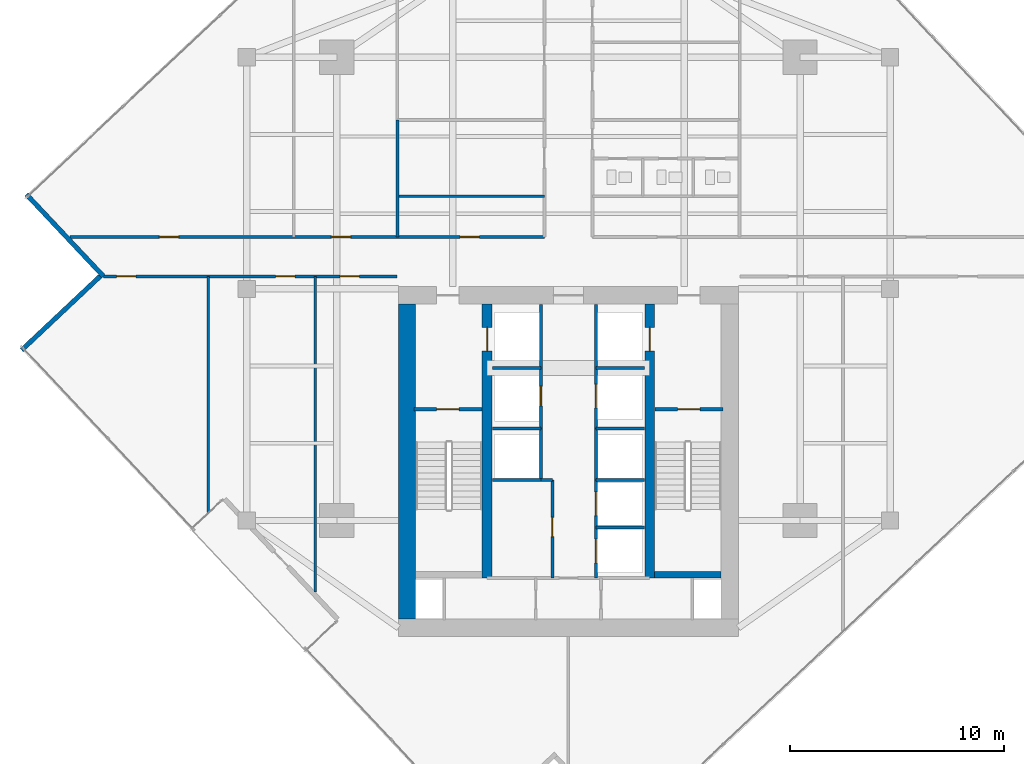
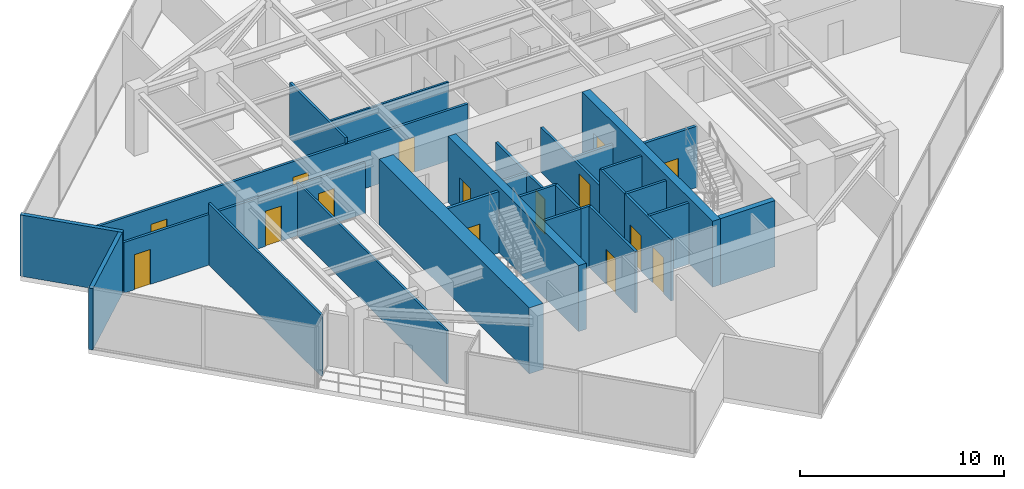
# One storey, part 21 of 25: 28 walls, 15 doors, 15 openings.
"""IFC4 building model written with IfcOpenShell, lengths in metres."""

from ifc_helpers import new_model, si_unit, direction, frame, frame_2d, origin, place, context, subcontext, project, spatial, rectangle, extrude, material, layer, layer_set, type_object, element, fill, save


model = new_model("IFC4")

# Units and contexts
model_context = context("Model", 3, precision=1e-05, world=origin(), true_north=direction((0.0, 1.0)))
body_context = subcontext(model_context, "Body", "Model", "MODEL_VIEW")
ifc_project = project(units=[si_unit("LENGTHUNIT", "METRE"), si_unit("AREAUNIT", "SQUARE_METRE"), si_unit("VOLUMEUNIT", "CUBIC_METRE"), si_unit("PLANEANGLEUNIT", "RADIAN"), si_unit("MASSUNIT", "GRAM", prefix="KILO")], contexts=[model_context])

# Site, building, storey
site_placement = place(None, origin())
site = spatial("IfcSite", under=ifc_project, at=site_placement, CompositionType="ELEMENT")
building_placement = place(site_placement, origin())
building = spatial("IfcBuilding", under=site, at=building_placement, Name="Krantzveldt Concourse Tower", CompositionType="ELEMENT")
storey_placement = place(building_placement, frame((0.0, 0.0, 238.89990234375)))
storey = spatial("IfcBuildingStorey", under=building, at=storey_placement, Name="L58", CompositionType="ELEMENT", Elevation=238.89990234375)

# Walls
ifc_material_1 = material(Name="Anodised aluminium 6063-T6", Category="aluminium")
ifc_layer_1 = layer(ifc_material_1, 0.219970703125, Name="Anodised aluminium 6063-T6", Category="aluminium")
ifc_layer_set_1 = layer_set([ifc_layer_1], Name="Anodised aluminium 6063-T6 (WL-EXT-NOTCH220)")
wall_type_1 = type_object("IfcWallType", Name="WL-EXT-NOTCH220", PredefinedType="ELEMENTEDWALL", material=ifc_layer_set_1)
wall_1_placement = place(storey_placement, frame((10.72705078125, 31.104736328125, 0.0), z_axis=(0.0, 0.0, 1.0), x_axis=(0.685178828418, -0.728374884992, 0.0)))
element("IfcWall", 1, at=wall_1_placement, inside=storey, type_object=wall_type_1, Name="EW-L58-NCH02", PredefinedType="ELEMENTEDWALL", context=body_context, shape_type="SweptSolid", body=[
    extrude(rectangle(XDim=5.244873046875, YDim=0.219970703125, at=frame_2d((2.62255859375, 0.0))), origin(), (0.0, 0.0, 1.0), 3.670166015625),
])
wall_2_placement = place(storey_placement, frame((14.165283203125, 27.289306640625, 0.0), z_axis=(0.0, 0.0, 1.0), x_axis=(-0.728372554527, -0.685181305796, 0.0)))
element("IfcWall", 2, at=wall_2_placement, inside=storey, type_object=wall_type_1, Name="EW-L58-NCH03", PredefinedType="ELEMENTEDWALL", context=body_context, shape_type="SweptSolid", body=[
    extrude(rectangle(XDim=5.025146484375, YDim=0.219970703125, at=frame_2d((2.5126953125, 0.0))), origin(), (0.0, 0.0, 1.0), 3.670166015625),
])
ifc_material_2 = material(Name="Fire-rated gypsum plasterboard on steel stud", Category="steel")
ifc_layer_2 = layer(ifc_material_2, 0.1201171875, Name="Fire-rated gypsum plasterboard on steel stud", Category="steel")
ifc_layer_set_2 = layer_set([ifc_layer_2], Name="Fire-rated gypsum plasterboard on steel stud (WL-PART-120)")
wall_type_2 = type_object("IfcWallType", Name="WL-PART-120", PredefinedType="PARTITIONING", material=ifc_layer_set_2)
wall_3_placement = place(storey_placement, frame((28.02001953125, 31.02001953125, 0.0), z_axis=(0.0, 0.0, 1.0), x_axis=(1.0, 0.0, 0.0)))
element("IfcWall", 3, at=wall_3_placement, inside=storey, type_object=wall_type_2, Name="WP-L58-ISML", PredefinedType="PARTITIONING", context=body_context, shape_type="SweptSolid", body=[
    extrude(rectangle(XDim=6.85986328125, YDim=0.1201171875, at=frame_2d((3.429931640625, 0.0))), origin(), (0.0, 0.0, 1.0), 3.18017578125),
])
wall_4_placement = place(storey_placement, frame((19.199951171875, 16.23681640625, 0.0), z_axis=(0.0, 0.0, 1.0), x_axis=(0.0, 1.0, 0.0)))
element("IfcWall", 4, at=wall_4_placement, inside=storey, type_object=wall_type_2, Name="WP-L58-SWX1", PredefinedType="PARTITIONING", context=body_context, shape_type="SweptSolid", body=[
    extrude(rectangle(XDim=11.043212890625, YDim=0.1201171875, at=frame_2d((5.521484375, 0.0))), origin(), (0.0, 0.0, 1.0), 3.670166015625),
])
wall_5_placement = place(storey_placement, frame((24.199951171875, 12.572021484375, 0.0), z_axis=(0.0, 0.0, 1.0), x_axis=(0.0, 1.0, 0.0)))
element("IfcWall", 5, at=wall_5_placement, inside=storey, type_object=wall_type_2, Name="WP-L58-SWX2", PredefinedType="PARTITIONING", context=body_context, shape_type="SweptSolid", body=[
    extrude(rectangle(XDim=14.7080078125, YDim=0.1201171875, at=frame_2d((7.35400390625, 0.0))), origin(), (0.0, 0.0, 1.0), 3.18017578125),
])

# Wall, openings, doors
ifc_layer_3 = layer(ifc_material_2, 0.139892578125, Name="Fire-rated gypsum plasterboard on steel stud", Category="steel")
ifc_layer_set_3 = layer_set([ifc_layer_3], Name="Fire-rated gypsum plasterboard on steel stud (WL-PART-140)")
wall_type_3 = type_object("IfcWallType", Name="WL-PART-140", PredefinedType="PARTITIONING", material=ifc_layer_set_3)
wall_6_placement = place(storey_placement, frame((12.751953125, 29.1201171875, 0.0), z_axis=(0.0, 0.0, 1.0), x_axis=(1.0, 0.0, 0.0)))
wall_6 = element("IfcWall", 6, at=wall_6_placement, inside=storey, type_object=wall_type_3, Name="WP-L58-EWNL", PredefinedType="PARTITIONING", context=body_context, shape_type="SweptSolid", body=[
    extrude(rectangle(XDim=22.1279296875, YDim=0.139892578125, at=frame_2d((11.06396484375, 0.0))), origin(), (0.0, 0.0, 1.0), 3.030029296875),
])
opening_1_placement = place(wall_6_placement, frame((18.197998046875, 0.0, 0.0)))
opening_1 = element("IfcOpeningElement", 7, at=opening_1_placement, cuts=wall_6, Name="Opening D-IN090", PredefinedType="OPENING", context=body_context, shape_type="SweptSolid", body=[
    extrude(rectangle(XDim=0.89990234375, YDim=2.10009765625, at=frame_2d((0.449951171875, 1.050048828125))), frame((0.0, 0.080078125, 0.0), z_axis=(0.0, -1.0, 0.0), x_axis=(1.0, 0.0, 0.0)), (0.0, 0.0, 1.0), 0.159912109375),
])
opening_2_placement = place(wall_6_placement, frame((4.177978515625, 0.0, 0.0)))
opening_2 = element("IfcOpeningElement", 8, at=opening_2_placement, cuts=wall_6, Name="Opening D-IN090", PredefinedType="OPENING", context=body_context, shape_type="SweptSolid", body=[
    extrude(rectangle(XDim=0.89990234375, YDim=2.10009765625, at=frame_2d((0.449951171875, 1.050048828125))), frame((0.0, 0.080078125, 0.0), z_axis=(0.0, -1.0, 0.0), x_axis=(1.0, 0.0, 0.0)), (0.0, 0.0, 1.0), 0.159912109375),
])
opening_3_placement = place(wall_6_placement, frame((12.197998046875, 0.0, 0.0)))
opening_3 = element("IfcOpeningElement", 9, at=opening_3_placement, cuts=wall_6, Name="Opening D-IN090", PredefinedType="OPENING", context=body_context, shape_type="SweptSolid", body=[
    extrude(rectangle(XDim=0.89990234375, YDim=2.10009765625, at=frame_2d((0.449951171875, 1.050048828125))), frame((0.0, 0.080078125, 0.0), z_axis=(0.0, -1.0, 0.0), x_axis=(1.0, 0.0, 0.0)), (0.0, 0.0, 1.0), 0.159912109375),
])
ifc_material_3 = material(Name="Hardwood timber", Category="wood")
door_type_1 = type_object("IfcDoorType", Name="DR-INT-900", OperationType="SINGLE_SWING_LEFT", PredefinedType="DOOR", material=ifc_material_3)
door_1_placement = place(opening_1_placement, origin())
door_1 = element("IfcDoor", 10, at=door_1_placement, inside=storey, type_object=door_type_1, Name="DR-L58-ALCL", OperationType="SINGLE_SWING_LEFT", OverallHeight=2.10009765625, OverallWidth=0.89990234375, PredefinedType="DOOR", context=body_context, shape_type="SweptSolid", body=[
    extrude(rectangle(XDim=0.89990234375, YDim=2.10009765625, at=frame_2d((0.449951171875, 1.050048828125))), frame((0.0, 0.02490234375, 0.0), z_axis=(0.0, -1.0, 0.0), x_axis=(1.0, 0.0, 0.0)), (0.0, 0.0, 1.0), 0.050048828125),
])
fill(opening_1, door_1)
door_2_placement = place(opening_2_placement, origin())
door_2 = element("IfcDoor", 11, at=door_2_placement, inside=storey, type_object=door_type_1, Name="DR-L58-NWX1", OperationType="SINGLE_SWING_LEFT", OverallHeight=2.10009765625, OverallWidth=0.89990234375, PredefinedType="DOOR", context=body_context, shape_type="SweptSolid", body=[
    extrude(rectangle(XDim=0.89990234375, YDim=2.10009765625, at=frame_2d((0.449951171875, 1.050048828125))), frame((0.0, 0.02490234375, 0.0), z_axis=(0.0, -1.0, 0.0), x_axis=(1.0, 0.0, 0.0)), (0.0, 0.0, 1.0), 0.050048828125),
])
fill(opening_2, door_2)
door_3_placement = place(opening_3_placement, origin())
door_3 = element("IfcDoor", 12, at=door_3_placement, inside=storey, type_object=door_type_1, Name="DR-L58-NWX2", OperationType="SINGLE_SWING_LEFT", OverallHeight=2.10009765625, OverallWidth=0.89990234375, PredefinedType="DOOR", context=body_context, shape_type="SweptSolid", body=[
    extrude(rectangle(XDim=0.89990234375, YDim=2.10009765625, at=frame_2d((0.449951171875, 1.050048828125))), frame((0.0, 0.02490234375, 0.0), z_axis=(0.0, -1.0, 0.0), x_axis=(1.0, 0.0, 0.0)), (0.0, 0.0, 1.0), 0.050048828125),
])
fill(opening_3, door_3)

wall_7_placement = place(storey_placement, frame((14.31591796875, 27.280029296875, 0.0), z_axis=(0.0, 0.0, 1.0), x_axis=(1.0, 0.0, 0.0)))
wall_7 = element("IfcWall", 13, at=wall_7_placement, inside=storey, type_object=wall_type_3, Name="WP-L58-EWSL", PredefinedType="PARTITIONING", context=body_context, shape_type="SweptSolid", body=[
    extrude(rectangle(XDim=13.68408203125, YDim=0.139892578125, at=frame_2d((6.842041015625, 0.0))), origin(), (0.0, 0.0, 1.0), 3.030029296875),
])
opening_4_placement = place(wall_7_placement, frame((0.614013671875, 0.0, 0.0)))
opening_4 = element("IfcOpeningElement", 14, at=opening_4_placement, cuts=wall_7, Name="Opening D-IN090", PredefinedType="OPENING", context=body_context, shape_type="SweptSolid", body=[
    extrude(rectangle(XDim=0.89990234375, YDim=2.10009765625, at=frame_2d((0.449951171875, 1.050048828125))), frame((0.0, 0.080078125, 0.0), z_axis=(0.0, -1.0, 0.0), x_axis=(1.0, 0.0, 0.0)), (0.0, 0.0, 1.0), 0.159912109375),
])
opening_5_placement = place(wall_7_placement, frame((8.0341796875, 0.0, 0.0)))
opening_5 = element("IfcOpeningElement", 15, at=opening_5_placement, cuts=wall_7, Name="Opening D-IN090", PredefinedType="OPENING", context=body_context, shape_type="SweptSolid", body=[
    extrude(rectangle(XDim=0.89990234375, YDim=2.10009765625, at=frame_2d((0.449951171875, 1.050048828125))), frame((0.0, 0.080078125, 0.0), z_axis=(0.0, -1.0, 0.0), x_axis=(1.0, 0.0, 0.0)), (0.0, 0.0, 1.0), 0.159912109375),
])
opening_6_placement = place(wall_7_placement, frame((11.0341796875, 0.0, 0.0)))
opening_6 = element("IfcOpeningElement", 16, at=opening_6_placement, cuts=wall_7, Name="Opening D-IN090", PredefinedType="OPENING", context=body_context, shape_type="SweptSolid", body=[
    extrude(rectangle(XDim=0.89990234375, YDim=2.10009765625, at=frame_2d((0.449951171875, 1.050048828125))), frame((0.0, 0.080078125, 0.0), z_axis=(0.0, -1.0, 0.0), x_axis=(1.0, 0.0, 0.0)), (0.0, 0.0, 1.0), 0.159912109375),
])
door_4_placement = place(opening_4_placement, origin())
door_4 = element("IfcDoor", 17, at=door_4_placement, inside=storey, type_object=door_type_1, Name="DR-L58-SWX1", OperationType="SINGLE_SWING_LEFT", OverallHeight=2.10009765625, OverallWidth=0.89990234375, PredefinedType="DOOR", context=body_context, shape_type="SweptSolid", body=[
    extrude(rectangle(XDim=0.89990234375, YDim=2.10009765625, at=frame_2d((0.449951171875, 1.050048828125))), frame((0.0, 0.02490234375, 0.0), z_axis=(0.0, -1.0, 0.0), x_axis=(1.0, 0.0, 0.0)), (0.0, 0.0, 1.0), 0.050048828125),
])
fill(opening_4, door_4)
door_5_placement = place(opening_5_placement, origin())
door_5 = element("IfcDoor", 18, at=door_5_placement, inside=storey, type_object=door_type_1, Name="DR-L58-SWX2", OperationType="SINGLE_SWING_LEFT", OverallHeight=2.10009765625, OverallWidth=0.89990234375, PredefinedType="DOOR", context=body_context, shape_type="SweptSolid", body=[
    extrude(rectangle(XDim=0.89990234375, YDim=2.10009765625, at=frame_2d((0.449951171875, 1.050048828125))), frame((0.0, 0.02490234375, 0.0), z_axis=(0.0, -1.0, 0.0), x_axis=(1.0, 0.0, 0.0)), (0.0, 0.0, 1.0), 0.050048828125),
])
fill(opening_5, door_5)
door_6_placement = place(opening_6_placement, origin())
door_6 = element("IfcDoor", 19, at=door_6_placement, inside=storey, type_object=door_type_1, Name="DR-L58-SWX3", OperationType="SINGLE_SWING_LEFT", OverallHeight=2.10009765625, OverallWidth=0.89990234375, PredefinedType="DOOR", context=body_context, shape_type="SweptSolid", body=[
    extrude(rectangle(XDim=0.89990234375, YDim=2.10009765625, at=frame_2d((0.449951171875, 1.050048828125))), frame((0.0, 0.02490234375, 0.0), z_axis=(0.0, -1.0, 0.0), x_axis=(1.0, 0.0, 0.0)), (0.0, 0.0, 1.0), 0.050048828125),
])
fill(opening_6, door_6)

# Wall
wall_8_placement = place(storey_placement, frame((28.02001953125, 29.1201171875, 0.0), z_axis=(0.0, 0.0, 1.0), x_axis=(0.0, 1.0, 0.0)))
element("IfcWall", 20, at=wall_8_placement, inside=storey, type_object=wall_type_3, Name="WP-L58-ISWL", PredefinedType="PARTITIONING", context=body_context, shape_type="SweptSolid", body=[
    extrude(rectangle(XDim=5.4599609375, YDim=0.139892578125, at=frame_2d((2.72998046875, 0.0))), origin(), (0.0, 0.0, 1.0), 3.3701171875),
])

# Wall, opening, door
ifc_layer_4 = layer(ifc_material_2, 0.139892578125, Name="Fire-rated gypsum plasterboard on steel stud", Category="steel")
ifc_layer_set_4 = layer_set([ifc_layer_4], Name="Fire-rated gypsum plasterboard on steel stud (WL-PART-FR140)")
wall_type_4 = type_object("IfcWallType", Name="WL-PART-FR140", PredefinedType="PARTITIONING", material=ifc_layer_set_4)
wall_9_placement = place(storey_placement, frame((34.719970703125, 20.199951171875, 0.0), z_axis=(0.0, 0.0, 1.0), x_axis=(0.0, 1.0, 0.0)))
wall_9 = element("IfcWall", 21, at=wall_9_placement, inside=storey, type_object=wall_type_4, Name="WP-L58-SHNW", PredefinedType="PARTITIONING", context=body_context, shape_type="SweptSolid", body=[
    extrude(rectangle(XDim=5.780029296875, YDim=0.139892578125, at=frame_2d((2.89013671875, 0.0))), origin(), (0.0, 0.0, 1.0), 2.670166015625),
])
opening_7_placement = place(wall_9_placement, frame((1.050048828125, 0.0, 0.0)))
opening_7 = element("IfcOpeningElement", 22, at=opening_7_placement, cuts=wall_9, Name="Opening D-FD090", PredefinedType="OPENING", context=body_context, shape_type="SweptSolid", body=[
    extrude(rectangle(XDim=0.89990234375, YDim=2.10009765625, at=frame_2d((0.449951171875, 1.050048828125))), frame((0.0, 0.080078125, 0.0), z_axis=(0.0, -1.0, 0.0), x_axis=(1.0, 0.0, 0.0)), (0.0, 0.0, 1.0), 0.159912109375),
])
door_type_2 = type_object("IfcDoorType", Name="DR-FD60-900", OperationType="SINGLE_SWING_LEFT", PredefinedType="DOOR", material=ifc_material_3)
door_7_placement = place(opening_7_placement, origin())
door_7 = element("IfcDoor", 23, at=door_7_placement, inside=storey, type_object=door_type_2, Name="Electrical Riser Access Door L58", OperationType="SINGLE_SWING_LEFT", OverallHeight=2.10009765625, OverallWidth=0.89990234375, PredefinedType="DOOR", context=body_context, shape_type="SweptSolid", body=[
    extrude(rectangle(XDim=0.89990234375, YDim=2.10009765625, at=frame_2d((0.449951171875, 1.050048828125))), frame((0.0, 0.02490234375, 0.0), z_axis=(0.0, -1.0, 0.0), x_axis=(1.0, 0.0, 0.0)), (0.0, 0.0, 1.0), 0.050048828125),
])
fill(opening_7, door_7)

wall_10_placement = place(storey_placement, frame((37.280029296875, 20.199951171875, 0.0), z_axis=(0.0, 0.0, 1.0), x_axis=(0.0, 1.0, 0.0)))
wall_10 = element("IfcWall", 24, at=wall_10_placement, inside=storey, type_object=wall_type_4, Name="WP-L58-SHNE", PredefinedType="PARTITIONING", context=body_context, shape_type="SweptSolid", body=[
    extrude(rectangle(XDim=5.780029296875, YDim=0.139892578125, at=frame_2d((2.89013671875, 0.0))), origin(), (0.0, 0.0, 1.0), 2.670166015625),
])
opening_8_placement = place(wall_10_placement, frame((0.949951171875, 0.0, 0.0)))
opening_8 = element("IfcOpeningElement", 25, at=opening_8_placement, cuts=wall_10, Name="Opening LD", PredefinedType="OPENING", context=body_context, shape_type="SweptSolid", body=[
    extrude(rectangle(XDim=1.10009765625, YDim=2.14990234375, at=frame_2d((0.550048828125, 1.074951171875))), frame((0.0, 0.080078125, 0.0), z_axis=(0.0, -1.0, 0.0), x_axis=(1.0, 0.0, 0.0)), (0.0, 0.0, 1.0), 0.159912109375),
])
ifc_material_4 = material(Name="Stainless steel 316L", Category="steel")
door_type_3 = type_object("IfcDoorType", Name="DR-SLIDE-LD1100", OperationType="DOUBLE_DOOR_SLIDING", PredefinedType="DOOR", material=ifc_material_4)
door_8_placement = place(opening_8_placement, origin())
door_8 = element("IfcDoor", 26, at=door_8_placement, inside=storey, type_object=door_type_3, Name="LD-L58-GL1", OperationType="DOUBLE_DOOR_SLIDING", OverallHeight=2.14990234375, OverallWidth=1.10009765625, PredefinedType="DOOR", context=body_context, shape_type="SweptSolid", body=[
    extrude(rectangle(XDim=1.10009765625, YDim=2.14990234375, at=frame_2d((0.550048828125, 1.074951171875))), frame((0.0, 0.02490234375, 0.0), z_axis=(0.0, -1.0, 0.0), x_axis=(1.0, 0.0, 0.0)), (0.0, 0.0, 1.0), 0.050048828125),
])
fill(opening_8, door_8)

# Walls
for number, where, z_axis, x_axis, name in (
    (27, (32.449951171875, 23.0, 0.0), (0.0, 0.0, 1.0), (1.0, 0.0, 0.0), "WP-L58-RISH"),
    (28, (37.280029296875, 23.0, 0.0), (0.0, 0.0, 1.0), (1.0, 0.0, 0.0), "WP-L58-GLH"),
):
    element("IfcWall", number, at=place(storey_placement, frame(where, z_axis=z_axis, x_axis=x_axis)), inside=storey, type_object=wall_type_4, Name=name, PredefinedType="PARTITIONING", context=body_context, shape_type="SweptSolid", body=[
        extrude(rectangle(XDim=2.27001953125, YDim=0.139892578125, at=frame_2d((1.135009765625, 0.0))), origin(), (0.0, 0.0, 1.0), 2.670166015625),
    ])
for number, where, z_axis, x_axis, name in (
    (29, (34.719970703125, 17.780029296875, 0.0), (0.0, 0.0, 1.0), (0.0, 1.0, 0.0), "WP-L58-SHNW2"),
    (30, (37.280029296875, 17.780029296875, 0.0), (0.0, 0.0, 1.0), (0.0, 1.0, 0.0), "WP-L58-SHNE2"),
):
    element("IfcWall", number, at=place(storey_placement, frame(where, z_axis=z_axis, x_axis=x_axis)), inside=storey, type_object=wall_type_4, Name=name, PredefinedType="PARTITIONING", context=body_context, shape_type="SweptSolid", body=[
        extrude(rectangle(XDim=2.419921875, YDim=0.139892578125, at=frame_2d((1.2099609375, 0.0))), origin(), (0.0, 0.0, 1.0), 3.670166015625),
    ])
for number, where, z_axis, x_axis, name in (
    (31, (32.449951171875, 17.780029296875, 0.0), (0.0, 0.0, 1.0), (1.0, 0.0, 0.0), "WP-L58-DIVW2"),
    (32, (32.449951171875, 20.179931640625, 0.0), (0.0, 0.0, 1.0), (1.0, 0.0, 0.0), "WP-L58-DIVW3"),
    (33, (37.280029296875, 17.780029296875, 0.0), (0.0, 0.0, 1.0), (1.0, 0.0, 0.0), "WP-L58-DIVE2"),
    (34, (37.280029296875, 20.179931640625, 0.0), (0.0, 0.0, 1.0), (1.0, 0.0, 0.0), "WP-L58-DIVE3"),
):
    element("IfcWall", number, at=place(storey_placement, frame(where, z_axis=z_axis, x_axis=x_axis)), inside=storey, type_object=wall_type_4, Name=name, PredefinedType="PARTITIONING", context=body_context, shape_type="SweptSolid", body=[
        extrude(rectangle(XDim=2.27001953125, YDim=0.139892578125, at=frame_2d((1.135009765625, 0.0))), origin(), (0.0, 0.0, 1.0), 3.670166015625),
    ])

# Wall, opening, door
wall_11_placement = place(storey_placement, frame((35.25, 13.219970703125, 0.0), z_axis=(0.0, 0.0, 1.0), x_axis=(0.0, 1.0, 0.0)))
wall_11 = element("IfcWall", 35, at=wall_11_placement, inside=storey, type_object=wall_type_4, Name="WP-L58-RECW", PredefinedType="PARTITIONING", context=body_context, shape_type="SweptSolid", body=[
    extrude(rectangle(XDim=4.56005859375, YDim=0.139892578125, at=frame_2d((2.280029296875, 0.0))), origin(), (0.0, 0.0, 1.0), 3.670166015625),
])
opening_9_placement = place(wall_11_placement, frame((1.929931640625, 0.0, 0.0)))
opening_9 = element("IfcOpeningElement", 36, at=opening_9_placement, cuts=wall_11, Name="Opening D-FD090", PredefinedType="OPENING", context=body_context, shape_type="SweptSolid", body=[
    extrude(rectangle(XDim=0.89990234375, YDim=2.10009765625, at=frame_2d((0.449951171875, 1.050048828125))), frame((0.0, 0.080078125, 0.0), z_axis=(0.0, -1.0, 0.0), x_axis=(1.0, 0.0, 0.0)), (0.0, 0.0, 1.0), 0.159912109375),
])
door_9_placement = place(opening_9_placement, origin())
door_9 = element("IfcDoor", 37, at=door_9_placement, inside=storey, type_object=door_type_2, Name="DR-L58-RECW", OperationType="SINGLE_SWING_LEFT", OverallHeight=2.10009765625, OverallWidth=0.89990234375, PredefinedType="DOOR", context=body_context, shape_type="SweptSolid", body=[
    extrude(rectangle(XDim=0.89990234375, YDim=2.10009765625, at=frame_2d((0.449951171875, 1.050048828125))), frame((0.0, 0.02490234375, 0.0), z_axis=(0.0, -1.0, 0.0), x_axis=(1.0, 0.0, 0.0)), (0.0, 0.0, 1.0), 0.050048828125),
])
fill(opening_9, door_9)

# Wall
wall_12_placement = place(storey_placement, frame((34.719970703125, 17.780029296875, 0.0), z_axis=(0.0, 0.0, 1.0), x_axis=(1.0, 0.0, 0.0)))
element("IfcWall", 38, at=wall_12_placement, inside=storey, type_object=wall_type_4, Name="WP-L58-RECWN", PredefinedType="PARTITIONING", context=body_context, shape_type="SweptSolid", body=[
    extrude(rectangle(XDim=0.530029296875, YDim=0.139892578125, at=frame_2d((0.26513671875, 0.0))), origin(), (0.0, 0.0, 1.0), 3.670166015625),
])

# Wall, openings, doors
wall_13_placement = place(storey_placement, frame((37.280029296875, 13.219970703125, 0.0), z_axis=(0.0, 0.0, 1.0), x_axis=(0.0, 1.0, 0.0)))
wall_13 = element("IfcWall", 39, at=wall_13_placement, inside=storey, type_object=wall_type_4, Name="WP-L58-SHSE", PredefinedType="PARTITIONING", context=body_context, shape_type="SweptSolid", body=[
    extrude(rectangle(XDim=4.56005859375, YDim=0.139892578125, at=frame_2d((2.280029296875, 0.0))), origin(), (0.0, 0.0, 1.0), 3.670166015625),
])
opening_10_placement = place(wall_13_placement, frame((0.7099609375, 0.0, 0.0)))
opening_10 = element("IfcOpeningElement", 40, at=opening_10_placement, cuts=wall_13, Name="Opening LD", PredefinedType="OPENING", context=body_context, shape_type="SweptSolid", body=[
    extrude(rectangle(XDim=1.10009765625, YDim=2.14990234375, at=frame_2d((0.550048828125, 1.074951171875))), frame((0.0, 0.080078125, 0.0), z_axis=(0.0, -1.0, 0.0), x_axis=(1.0, 0.0, 0.0)), (0.0, 0.0, 1.0), 0.159912109375),
])
opening_11_placement = place(wall_13_placement, frame((2.909912109375, 0.0, 0.0)))
opening_11 = element("IfcOpeningElement", 41, at=opening_11_placement, cuts=wall_13, Name="Opening LD", PredefinedType="OPENING", context=body_context, shape_type="SweptSolid", body=[
    extrude(rectangle(XDim=1.10009765625, YDim=2.14990234375, at=frame_2d((0.550048828125, 1.074951171875))), frame((0.0, 0.080078125, 0.0), z_axis=(0.0, -1.0, 0.0), x_axis=(1.0, 0.0, 0.0)), (0.0, 0.0, 1.0), 0.159912109375),
])
door_10_placement = place(opening_10_placement, origin())
door_10 = element("IfcDoor", 42, at=door_10_placement, inside=storey, type_object=door_type_3, Name="LD-L58-PM1", OperationType="DOUBLE_DOOR_SLIDING", OverallHeight=2.14990234375, OverallWidth=1.10009765625, PredefinedType="DOOR", context=body_context, shape_type="SweptSolid", body=[
    extrude(rectangle(XDim=1.10009765625, YDim=2.14990234375, at=frame_2d((0.550048828125, 1.074951171875))), frame((0.0, 0.02490234375, 0.0), z_axis=(0.0, -1.0, 0.0), x_axis=(1.0, 0.0, 0.0)), (0.0, 0.0, 1.0), 0.050048828125),
])
fill(opening_10, door_10)
door_11_placement = place(opening_11_placement, origin())
door_11 = element("IfcDoor", 43, at=door_11_placement, inside=storey, type_object=door_type_3, Name="LD-L58-PM2", OperationType="DOUBLE_DOOR_SLIDING", OverallHeight=2.14990234375, OverallWidth=1.10009765625, PredefinedType="DOOR", context=body_context, shape_type="SweptSolid", body=[
    extrude(rectangle(XDim=1.10009765625, YDim=2.14990234375, at=frame_2d((0.550048828125, 1.074951171875))), frame((0.0, 0.02490234375, 0.0), z_axis=(0.0, -1.0, 0.0), x_axis=(1.0, 0.0, 0.0)), (0.0, 0.0, 1.0), 0.050048828125),
])
fill(opening_11, door_11)

# Wall
wall_14_placement = place(storey_placement, frame((37.280029296875, 15.580078125, 0.0), z_axis=(0.0, 0.0, 1.0), x_axis=(1.0, 0.0, 0.0)))
element("IfcWall", 44, at=wall_14_placement, inside=storey, type_object=wall_type_4, Name="WP-L58-DIVE1", PredefinedType="PARTITIONING", context=body_context, shape_type="SweptSolid", body=[
    extrude(rectangle(XDim=2.27001953125, YDim=0.139892578125, at=frame_2d((1.135009765625, 0.0))), origin(), (0.0, 0.0, 1.0), 3.670166015625),
])

# Wall, opening, door
ifc_layer_5 = layer(ifc_material_2, 0.159912109375, Name="Fire-rated gypsum plasterboard on steel stud", Category="steel")
ifc_layer_set_5 = layer_set([ifc_layer_5], Name="Fire-rated gypsum plasterboard on steel stud (WL-PART-FR160)")
wall_type_5 = type_object("IfcWallType", Name="WL-PART-FR160", PredefinedType="PARTITIONING", material=ifc_layer_set_5)
wall_15_placement = place(storey_placement, frame((28.800048828125, 21.080078125, 0.0), z_axis=(0.0, 0.0, 1.0), x_axis=(1.0, 0.0, 0.0)))
wall_15 = element("IfcWall", 45, at=wall_15_placement, inside=storey, type_object=wall_type_5, Name="WP-L58-ST1", PredefinedType="PARTITIONING", context=body_context, shape_type="SweptSolid", body=[
    extrude(rectangle(XDim=3.159912109375, YDim=0.159912109375, at=frame_2d((1.580078125, 0.0))), origin(), (0.0, 0.0, 1.0), 3.670166015625),
])
opening_12_placement = place(wall_15_placement, frame((1.054931640625, 0.0, 0.0)))
opening_12 = element("IfcOpeningElement", 46, at=opening_12_placement, cuts=wall_15, Name="Opening D-FD105", PredefinedType="OPENING", context=body_context, shape_type="SweptSolid", body=[
    extrude(rectangle(XDim=1.050048828125, YDim=2.10009765625, at=frame_2d((0.52490234375, 1.050048828125))), frame((0.0, 0.08984375, 0.0), z_axis=(0.0, -1.0, 0.0), x_axis=(1.0, 0.0, 0.0)), (0.0, 0.0, 1.0), 0.179931640625),
])
ifc_material_5 = material(Name="Galvanised steel", Category="steel")
door_type_4 = type_object("IfcDoorType", Name="DR-FD120-1050", OperationType="SINGLE_SWING_LEFT", PredefinedType="DOOR", material=ifc_material_5)
door_12_placement = place(opening_12_placement, origin())
door_12 = element("IfcDoor", 47, at=door_12_placement, inside=storey, type_object=door_type_4, Name="DR-L58-ST1", OperationType="SINGLE_SWING_RIGHT", OverallHeight=2.10009765625, OverallWidth=1.050048828125, PredefinedType="DOOR", context=body_context, shape_type="SweptSolid", body=[
    extrude(rectangle(XDim=1.050048828125, YDim=2.10009765625, at=frame_2d((0.52490234375, 1.050048828125))), frame((0.0, 0.02490234375, 0.0), z_axis=(0.0, -1.0, 0.0), x_axis=(1.0, 0.0, 0.0)), (0.0, 0.0, 1.0), 0.050048828125),
])
fill(opening_12, door_12)

wall_16_placement = place(storey_placement, frame((40.0400390625, 21.080078125, 0.0), z_axis=(0.0, 0.0, 1.0), x_axis=(1.0, 0.0, 0.0)))
wall_16 = element("IfcWall", 48, at=wall_16_placement, inside=storey, type_object=wall_type_5, Name="WP-L58-ST2", PredefinedType="PARTITIONING", context=body_context, shape_type="SweptSolid", body=[
    extrude(rectangle(XDim=3.159912109375, YDim=0.159912109375, at=frame_2d((1.580078125, 0.0))), origin(), (0.0, 0.0, 1.0), 3.670166015625),
])
opening_13_placement = place(wall_16_placement, frame((1.054931640625, 0.0, 0.0)))
opening_13 = element("IfcOpeningElement", 49, at=opening_13_placement, cuts=wall_16, Name="Opening D-FD105", PredefinedType="OPENING", context=body_context, shape_type="SweptSolid", body=[
    extrude(rectangle(XDim=1.050048828125, YDim=2.10009765625, at=frame_2d((0.52490234375, 1.050048828125))), frame((0.0, 0.08984375, 0.0), z_axis=(0.0, -1.0, 0.0), x_axis=(1.0, 0.0, 0.0)), (0.0, 0.0, 1.0), 0.179931640625),
])
door_13_placement = place(opening_13_placement, origin())
door_13 = element("IfcDoor", 50, at=door_13_placement, inside=storey, type_object=door_type_4, Name="DR-L58-ST2", OperationType="SINGLE_SWING_LEFT", OverallHeight=2.10009765625, OverallWidth=1.050048828125, PredefinedType="DOOR", context=body_context, shape_type="SweptSolid", body=[
    extrude(rectangle(XDim=1.050048828125, YDim=2.10009765625, at=frame_2d((0.52490234375, 1.050048828125))), frame((0.0, 0.02490234375, 0.0), z_axis=(0.0, -1.0, 0.0), x_axis=(1.0, 0.0, 0.0)), (0.0, 0.0, 1.0), 0.050048828125),
])
fill(opening_13, door_13)

# Wall
ifc_material_6 = material(Name="Concrete C50/60", Category="concrete")
ifc_layer_6 = layer(ifc_material_6, 0.300048828125, Name="Concrete C50/60", Category="concrete")
ifc_layer_set_6 = layer_set([ifc_layer_6], Name="Concrete C50/60 (WL-SHEAR-300)")
wall_type_6 = type_object("IfcWallType", Name="WL-SHEAR-300", PredefinedType="SHEAR", material=ifc_layer_set_6)
wall_17_placement = place(storey_placement, frame((40.02001953125, 13.3701171875, 0.0), z_axis=(0.0, 0.0, 1.0), x_axis=(1.0, 0.0, 0.0)))
element("IfcWall", 51, at=wall_17_placement, inside=storey, type_object=wall_type_6, Name="CW-L58-ST2S", PredefinedType="SHEAR", context=body_context, shape_type="SweptSolid", body=[
    extrude(rectangle(XDim=3.10009765625, YDim=0.300048828125, at=frame_2d((1.550048828125, 0.0))), origin(), (0.0, 0.0, 1.0), 3.9501953125),
])

# Wall, opening, door
ifc_layer_7 = layer(ifc_material_6, 0.449951171875, Name="Concrete C50/60", Category="concrete")
ifc_layer_set_7 = layer_set([ifc_layer_7], Name="Concrete C50/60 (WL-SHEAR-450)")
wall_type_7 = type_object("IfcWallType", Name="WL-SHEAR-450", PredefinedType="SHEAR", material=ifc_layer_set_7)
wall_18_placement = place(storey_placement, frame((32.205078125, 13.219970703125, 0.0), z_axis=(0.0, 0.0, 1.0), x_axis=(0.0, 1.0, 0.0)))
wall_18 = element("IfcWall", 52, at=wall_18_placement, inside=storey, type_object=wall_type_7, Name="CW-L58-IW", PredefinedType="SHEAR", context=body_context, shape_type="SweptSolid", body=[
    extrude(rectangle(XDim=12.780029296875, YDim=0.449951171875, at=frame_2d((6.39013671875, 0.0))), origin(), (0.0, 0.0, 1.0), 3.9501953125),
])
opening_14_placement = place(wall_18_placement, frame((10.580078125, 0.0, 0.0)))
opening_14 = element("IfcOpeningElement", 53, at=opening_14_placement, cuts=wall_18, Name="Opening LD", PredefinedType="OPENING", context=body_context, shape_type="SweptSolid", body=[
    extrude(rectangle(XDim=1.10009765625, YDim=2.14990234375, at=frame_2d((0.550048828125, 1.074951171875))), frame((0.0, 0.23486328125, 0.0), z_axis=(0.0, -1.0, 0.0), x_axis=(1.0, 0.0, 0.0)), (0.0, 0.0, 1.0), 0.469970703125),
])
door_14_placement = place(opening_14_placement, origin())
door_14 = element("IfcDoor", 54, at=door_14_placement, inside=storey, type_object=door_type_3, Name="LD-L58-FL1", OperationType="DOUBLE_DOOR_SLIDING", OverallHeight=2.14990234375, OverallWidth=1.10009765625, PredefinedType="DOOR", context=body_context, shape_type="SweptSolid", body=[
    extrude(rectangle(XDim=1.10009765625, YDim=2.14990234375, at=frame_2d((0.550048828125, 1.074951171875))), frame((0.0, 0.02490234375, 0.0), z_axis=(0.0, -1.0, 0.0), x_axis=(1.0, 0.0, 0.0)), (0.0, 0.0, 1.0), 0.050048828125),
])
fill(opening_14, door_14)

wall_19_placement = place(storey_placement, frame((39.794921875, 13.219970703125, 0.0), z_axis=(0.0, 0.0, 1.0), x_axis=(0.0, 1.0, 0.0)))
wall_19 = element("IfcWall", 55, at=wall_19_placement, inside=storey, type_object=wall_type_7, Name="CW-L58-IE", PredefinedType="SHEAR", context=body_context, shape_type="SweptSolid", body=[
    extrude(rectangle(XDim=12.780029296875, YDim=0.449951171875, at=frame_2d((6.39013671875, 0.0))), origin(), (0.0, 0.0, 1.0), 3.9501953125),
])
opening_15_placement = place(wall_19_placement, frame((10.580078125, 0.0, 0.0)))
opening_15 = element("IfcOpeningElement", 56, at=opening_15_placement, cuts=wall_19, Name="Opening LD", PredefinedType="OPENING", context=body_context, shape_type="SweptSolid", body=[
    extrude(rectangle(XDim=1.10009765625, YDim=2.14990234375, at=frame_2d((0.550048828125, 1.074951171875))), frame((0.0, 0.23486328125, 0.0), z_axis=(0.0, -1.0, 0.0), x_axis=(1.0, 0.0, 0.0)), (0.0, 0.0, 1.0), 0.469970703125),
])
door_15_placement = place(opening_15_placement, origin())
door_15 = element("IfcDoor", 57, at=door_15_placement, inside=storey, type_object=door_type_3, Name="LD-L58-FL2", OperationType="DOUBLE_DOOR_SLIDING", OverallHeight=2.14990234375, OverallWidth=1.10009765625, PredefinedType="DOOR", context=body_context, shape_type="SweptSolid", body=[
    extrude(rectangle(XDim=1.10009765625, YDim=2.14990234375, at=frame_2d((0.550048828125, 1.074951171875))), frame((0.0, 0.02490234375, 0.0), z_axis=(0.0, -1.0, 0.0), x_axis=(1.0, 0.0, 0.0)), (0.0, 0.0, 1.0), 0.050048828125),
])
fill(opening_15, door_15)

# Wall
ifc_material_7 = material(Name="Concrete C60/75", Category="concrete")
ifc_layer_8 = layer(ifc_material_7, 0.800048828125, Name="Concrete C60/75", Category="concrete")
ifc_layer_set_8 = layer_set([ifc_layer_8], Name="Concrete C60/75 (WL-SHEAR-800)")
wall_type_8 = type_object("IfcWallType", Name="WL-SHEAR-800", PredefinedType="SHEAR", material=ifc_layer_set_8)
wall_20_placement = place(storey_placement, frame((28.47998046875, 11.300048828125, 0.0), z_axis=(0.0, 0.0, 1.0), x_axis=(0.0, 1.0, 0.0)))
element("IfcWall", 58, at=wall_20_placement, inside=storey, type_object=wall_type_8, Name="CW-L58-W", PredefinedType="SHEAR", context=body_context, shape_type="SweptSolid", body=[
    extrude(rectangle(XDim=14.699951171875, YDim=0.800048828125, at=frame_2d((7.35009765625, 0.0))), origin(), (0.0, 0.0, 1.0), 3.9501953125),
])

save(model, "model.ifc")
